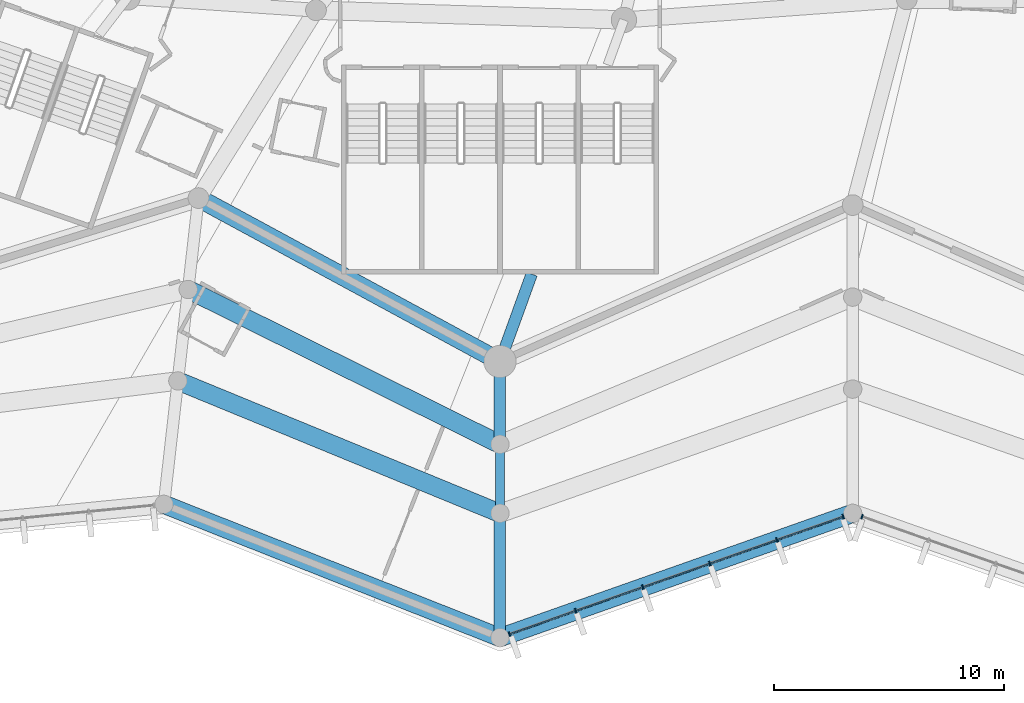
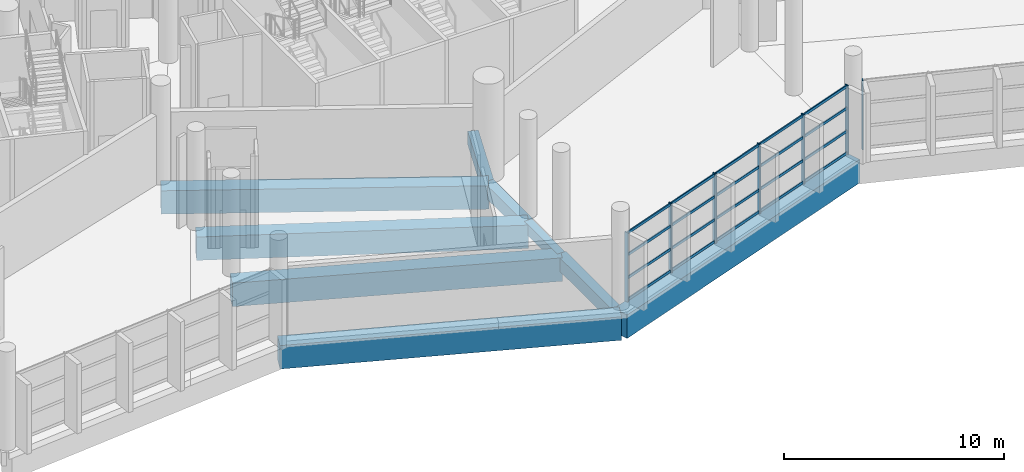
# One storey, part 18 of 271: 27 members, 9 beams, 2 elements without a shape of their own.
"""IFC4 building model written with IfcOpenShell, lengths in metres."""

from ifc_helpers import new_model, si_unit, direction, frame, origin, origin_2d, place, context, subcontext, project, spatial, rectangle, extrude, material, layer, layer_set, material_profile, profile_set, type_object, element, aggregate, save


model = new_model("IFC4")

# Units and contexts
model_context = context("Model", 3, precision=1e-05, world=origin(), true_north=direction((0.0, 1.0)))
body_context = subcontext(model_context, "Body", "Model", "MODEL_VIEW")
ifc_project = project(units=[si_unit("LENGTHUNIT", "METRE"), si_unit("AREAUNIT", "SQUARE_METRE"), si_unit("VOLUMEUNIT", "CUBIC_METRE"), si_unit("PLANEANGLEUNIT", "RADIAN"), si_unit("MASSUNIT", "GRAM", prefix="KILO")], contexts=[model_context])

# Site, building, storey
site_placement = place(None, origin())
site = spatial("IfcSite", under=ifc_project, at=site_placement, CompositionType="ELEMENT")
building_placement = place(site_placement, origin())
building = spatial("IfcBuilding", under=site, at=building_placement, Name="Meseta Stadium", CompositionType="ELEMENT")
storey_placement = place(building_placement, frame((0.0, 0.0, 6.5)))
storey = spatial("IfcBuildingStorey", under=building, at=storey_placement, Name="L01", CompositionType="ELEMENT", Elevation=6.5)

# Beams
ifc_material_1 = material(Name="Concrete C40/50", Category="concrete")
ifc_material_profile_1 = material_profile(ifc_material_1, rectangle(XDim=0.39990234375, YDim=0.60009765625, at=origin_2d()), Name="RC 400x600")
ifc_profile_set_1 = profile_set([ifc_material_profile_1], Name="Concrete C40/50")
beam_type_1 = type_object("IfcBeamType", Name="RC beam 400x600", PredefinedType="BEAM", material=ifc_profile_set_1)
beam_1_placement = place(storey_placement, frame((-38.333251953125, -109.0, -0.64990234375), z_axis=(0.0, -1.0, 0.0), x_axis=(1.0, 0.0, 0.0)))
element("IfcBeam", 1, at=beam_1_placement, inside=storey, type_object=beam_type_1, Name="L01 radial beam frame 44 line M to Q", PredefinedType="BEAM", context=body_context, shape_type="SweptSolid", body=[
    extrude(rectangle(XDim=0.39990234375, YDim=0.60009765625, at=origin_2d()), origin(), (0.0, 0.0, 1.0), 3.0),
])
ifc_material_2 = material(Name="Concrete C40/50", Category="concrete")
ifc_material_profile_2 = material_profile(ifc_material_2, rectangle(XDim=0.5, YDim=0.75, at=origin_2d()), Name="RC 500x750")
ifc_profile_set_2 = profile_set([ifc_material_profile_2], Name="Concrete C40/50")
beam_type_2 = type_object("IfcBeamType", Name="RC beam 500x750", PredefinedType="BEAM", material=ifc_profile_set_2)
beam_2_placement = place(storey_placement, frame((-36.9541015625, -101.60009765625, -0.72509765625), z_axis=(-0.341175633366, -0.939999567658, 0.0), x_axis=(0.939999567658, -0.341175633366, 0.0)))
element("IfcBeam", 2, at=beam_2_placement, inside=storey, type_object=beam_type_2, Name="L01 radial beam frame 44 line P to R", PredefinedType="BEAM", context=body_context, shape_type="SweptSolid", body=[
    extrude(rectangle(XDim=0.5, YDim=0.75, at=origin_2d()), origin(), (0.0, 0.0, 1.0), 4.042236328125),
])
beam_3_placement = place(storey_placement, frame((-38.333251953125, -105.39990234375, -0.72509765625), z_axis=(0.0, -1.0, 0.0), x_axis=(1.0, 0.0, 0.0)))
element("IfcBeam", 3, at=beam_3_placement, inside=storey, type_object=beam_type_2, Name="L01 radial beam frame 44 line R to M", PredefinedType="BEAM", context=body_context, shape_type="SweptSolid", body=[
    extrude(rectangle(XDim=0.5, YDim=0.75, at=origin_2d()), origin(), (0.0, 0.0, 1.0), 3.60009765625),
])
beam_4_placement = place(storey_placement, frame((-38.333251953125, -112.0, -0.72509765625), z_axis=(0.0, -1.0, 0.0), x_axis=(1.0, 0.0, 0.0)))
element("IfcBeam", 4, at=beam_4_placement, inside=storey, type_object=beam_type_2, Name="L01 radial beam frame 44 line Q to O", PredefinedType="BEAM", context=body_context, shape_type="SweptSolid", body=[
    extrude(rectangle(XDim=0.5, YDim=0.75, at=origin_2d()), origin(), (0.0, 0.0, 1.0), 5.39990234375),
])
ifc_material_3 = material(Name="Concrete C40/50", Category="concrete")
ifc_material_profile_3 = material_profile(ifc_material_3, rectangle(XDim=0.800048828125, YDim=1.300048828125, at=origin_2d()), Name="RC 800x1300")
ifc_profile_set_3 = profile_set([ifc_material_profile_3], Name="Concrete C40/50")
beam_type_3 = type_object("IfcBeamType", Name="RC beam 800x1300", PredefinedType="BEAM", material=ifc_profile_set_3)
beam_5_placement = place(storey_placement, frame((-51.44140625, -98.29443359375, -1.0), z_axis=(0.879145348638, -0.476553728311, 0.0), x_axis=(0.476553728311, 0.879145348638, 0.0)))
element("IfcBeam", 5, at=beam_5_placement, inside=storey, type_object=beam_type_3, Name="L01 ring beam frame 43 line R", PredefinedType="BEAM", context=body_context, shape_type="SweptSolid", body=[
    extrude(rectangle(XDim=0.800048828125, YDim=1.300048828125, at=origin_2d()), origin(), (0.0, 0.0, 1.0), 14.91015625),
])
beam_6_placement = place(storey_placement, frame((-51.889404296875, -102.269287109375, -1.0), z_axis=(0.895675432746, -0.444708352941, 0.0), x_axis=(0.444708352941, 0.895675432746, 0.0)))
element("IfcBeam", 6, at=beam_6_placement, inside=storey, type_object=beam_type_3, Name="L01 ring beam frame 43 line M", PredefinedType="BEAM", context=body_context, shape_type="SweptSolid", body=[
    extrude(rectangle(XDim=0.800048828125, YDim=1.300048828125, at=origin_2d()), origin(), (0.0, 0.0, 1.0), 15.135009765625),
])
beam_7_placement = place(storey_placement, frame((-52.337158203125, -106.244140625, -1.0), z_axis=(0.924921023006, -0.380159310293, 0.0), x_axis=(0.380159310293, 0.924921023006, 0.0)))
element("IfcBeam", 7, at=beam_7_placement, inside=storey, type_object=beam_type_3, Name="L01 ring beam frame 43 line Q", PredefinedType="BEAM", context=body_context, shape_type="SweptSolid", body=[
    extrude(rectangle(XDim=0.800048828125, YDim=1.300048828125, at=origin_2d()), origin(), (0.0, 0.0, 1.0), 15.140625),
])
beam_8_placement = place(storey_placement, frame((-52.94189453125, -111.610107421875, -1.0), z_axis=(0.929649573326, -0.368444935933, 0.0), x_axis=(0.368444935933, 0.929649573326, 0.0)))
element("IfcBeam", 8, at=beam_8_placement, inside=storey, type_object=beam_type_3, Name="L01 ring beam frame 43 line O", PredefinedType="BEAM", context=body_context, shape_type="SweptSolid", body=[
    extrude(rectangle(XDim=0.800048828125, YDim=1.300048828125, at=origin_2d()), origin(), (0.0, 0.0, 1.0), 15.714111328125),
])
beam_9_placement = place(storey_placement, frame((-38.333251953125, -117.39990234375, -1.0), z_axis=(0.943218573019, 0.332172731439, 0.0), x_axis=(-0.332172731439, 0.943218573019, 0.0)))
element("IfcBeam", 9, at=beam_9_placement, inside=storey, type_object=beam_type_3, Name="L01 ring beam frame 44 line O", PredefinedType="BEAM", context=body_context, shape_type="SweptSolid", body=[
    extrude(rectangle(XDim=0.800048828125, YDim=1.300048828125, at=origin_2d()), origin(), (0.0, 0.0, 1.0), 16.25634765625),
])

# Curtain wall, members
ifc_material_4 = material(Name="Aluminium", Category="aluminium")
ifc_layer = layer(ifc_material_4, 0.199951171875)
ifc_layer_set = layer_set([ifc_layer], Name="Ring shopfront curtain wall")
curtain_wall_type = type_object("IfcCurtainWallType", Name="Ring shopfront curtain wall", PredefinedType="NOTDEFINED", material=ifc_layer_set)
curtain_wall_1_placement = place(storey_placement, origin())
curtain_wall_1 = element("IfcCurtainWall", 10, at=curtain_wall_1_placement, inside=storey, type_object=curtain_wall_type, Name="Ring glazing L01 F44", PredefinedType="NOTDEFINED")
ifc_material_5 = material(Name="Aluminium", Category="aluminium")
ifc_material_profile_4 = material_profile(ifc_material_5, rectangle(XDim=0.199951171875, YDim=0.06005859375, at=origin_2d()), Name="CW 200x60")
ifc_profile_set_4 = profile_set([ifc_material_profile_4], Name="Aluminium")
member_type_1 = type_object("IfcMemberType", Name="Ring CW mullion 60x200", PredefinedType="MULLION", material=ifc_profile_set_4)
member_1_placement = place(storey_placement, frame((-37.927734375, -117.257080078125, 0.0), z_axis=(0.0, 0.0, 1.0), x_axis=(-0.332174330154, 0.943218009999, 0.0)))
member_1 = element("IfcMember", 11, at=member_1_placement, type_object=member_type_1, Name="CWR1 mullion 1", PredefinedType="MULLION", context=body_context, shape_type="SweptSolid", body=[
    extrude(rectangle(XDim=0.199951171875, YDim=0.06005859375, at=origin_2d()), origin(), (0.0, 0.0, 1.0), 3.85009765625),
])
member_2_placement = place(storey_placement, frame((-35.040283203125, -116.240234375, 0.0), z_axis=(0.0, 0.0, 1.0), x_axis=(-0.332174330154, 0.943218009999, 0.0)))
member_2 = element("IfcMember", 12, at=member_2_placement, type_object=member_type_1, Name="CWR1 mullion 2", PredefinedType="MULLION", context=body_context, shape_type="SweptSolid", body=[
    extrude(rectangle(XDim=0.199951171875, YDim=0.06005859375, at=origin_2d()), origin(), (0.0, 0.0, 1.0), 3.85009765625),
])
member_3_placement = place(storey_placement, frame((-32.12451171875, -115.21337890625, 0.0), z_axis=(0.0, 0.0, 1.0), x_axis=(-0.332174330154, 0.943218009999, 0.0)))
member_3 = element("IfcMember", 13, at=member_3_placement, type_object=member_type_1, Name="CWR1 mullion 3", PredefinedType="MULLION", context=body_context, shape_type="SweptSolid", body=[
    extrude(rectangle(XDim=0.199951171875, YDim=0.06005859375, at=origin_2d()), origin(), (0.0, 0.0, 1.0), 3.85009765625),
])
member_4_placement = place(storey_placement, frame((-29.208740234375, -114.1865234375, 0.0), z_axis=(0.0, 0.0, 1.0), x_axis=(-0.332174330154, 0.943218009999, 0.0)))
member_4 = element("IfcMember", 14, at=member_4_placement, type_object=member_type_1, Name="CWR1 mullion 4", PredefinedType="MULLION", context=body_context, shape_type="SweptSolid", body=[
    extrude(rectangle(XDim=0.199951171875, YDim=0.06005859375, at=origin_2d()), origin(), (0.0, 0.0, 1.0), 3.85009765625),
])
member_5_placement = place(storey_placement, frame((-26.29296875, -113.15966796875, 0.0), z_axis=(0.0, 0.0, 1.0), x_axis=(-0.332174330154, 0.943218009999, 0.0)))
member_5 = element("IfcMember", 15, at=member_5_placement, type_object=member_type_1, Name="CWR1 mullion 5", PredefinedType="MULLION", context=body_context, shape_type="SweptSolid", body=[
    extrude(rectangle(XDim=0.199951171875, YDim=0.06005859375, at=origin_2d()), origin(), (0.0, 0.0, 1.0), 3.85009765625),
])
member_6_placement = place(storey_placement, frame((-23.405517578125, -112.142822265625, 0.0), z_axis=(0.0, 0.0, 1.0), x_axis=(-0.332174330154, 0.943218009999, 0.0)))
member_6 = element("IfcMember", 16, at=member_6_placement, type_object=member_type_1, Name="CWR1 mullion 6", PredefinedType="MULLION", context=body_context, shape_type="SweptSolid", body=[
    extrude(rectangle(XDim=0.199951171875, YDim=0.06005859375, at=origin_2d()), origin(), (0.0, 0.0, 1.0), 3.85009765625),
])

# Curtain wall, member
curtain_wall_2_placement = place(storey_placement, origin())
curtain_wall_2 = element("IfcCurtainWall", 17, at=curtain_wall_2_placement, inside=storey, type_object=curtain_wall_type, Name="Ring glazing L01 F45", PredefinedType="NOTDEFINED")
member_7_placement = place(storey_placement, frame((-22.594482421875, -112.142822265625, 0.0), z_axis=(0.0, 0.0, 1.0), x_axis=(0.332174330154, 0.943218009999, 0.0)))
member_7 = element("IfcMember", 18, at=member_7_placement, type_object=member_type_1, Name="CWR1 mullion 1", PredefinedType="MULLION", context=body_context, shape_type="SweptSolid", body=[
    extrude(rectangle(XDim=0.199951171875, YDim=0.06005859375, at=origin_2d()), origin(), (0.0, 0.0, 1.0), 3.85009765625),
])
aggregate(curtain_wall_2, [member_7])

# Member
ifc_material_6 = material(Name="Aluminium", Category="aluminium")
ifc_material_profile_5 = material_profile(ifc_material_6, rectangle(XDim=0.06005859375, YDim=0.14990234375, at=origin_2d()), Name="CW 60x150")
ifc_profile_set_5 = profile_set([ifc_material_profile_5], Name="Aluminium")
member_type_2 = type_object("IfcMemberType", Name="Ring CW transom 60x150", PredefinedType="USERDEFINED", material=ifc_profile_set_5)
member_8_placement = place(storey_placement, frame((-37.8994140625, -117.2470703125, 0.074951171875), z_axis=(0.943228878245, 0.332143467863, 0.0), x_axis=(-0.332143467863, 0.943228878245, 0.0)))
member_8 = element("IfcMember", 19, at=member_8_placement, type_object=member_type_2, Name="CWR1 transom 1.1", ObjectType="TRANSOM", PredefinedType="USERDEFINED", context=body_context, shape_type="SweptSolid", body=[
    extrude(rectangle(XDim=0.06005859375, YDim=0.14990234375, at=origin_2d()), origin(), (0.0, 0.0, 1.0), 3.001220703125),
])

member_9_placement = place(storey_placement, frame((-37.8994140625, -117.2470703125, 1.283447265625), z_axis=(0.943228878245, 0.332143467863, 0.0), x_axis=(-0.332143467863, 0.943228878245, 0.0)))
member_9 = element("IfcMember", 20, at=member_9_placement, type_object=member_type_2, Name="CWR1 transom 1.2", ObjectType="TRANSOM", PredefinedType="USERDEFINED", context=body_context, shape_type="SweptSolid", body=[
    extrude(rectangle(XDim=0.06005859375, YDim=0.14990234375, at=origin_2d()), origin(), (0.0, 0.0, 1.0), 3.001220703125),
])

member_10_placement = place(storey_placement, frame((-37.8994140625, -117.2470703125, 2.566650390625), z_axis=(0.943228878245, 0.332143467863, 0.0), x_axis=(-0.332143467863, 0.943228878245, 0.0)))
member_10 = element("IfcMember", 21, at=member_10_placement, type_object=member_type_2, Name="CWR1 transom 1.3", ObjectType="TRANSOM", PredefinedType="USERDEFINED", context=body_context, shape_type="SweptSolid", body=[
    extrude(rectangle(XDim=0.06005859375, YDim=0.14990234375, at=origin_2d()), origin(), (0.0, 0.0, 1.0), 3.001220703125),
])

member_11_placement = place(storey_placement, frame((-37.8994140625, -117.2470703125, 3.77490234375), z_axis=(0.943228878245, 0.332143467863, 0.0), x_axis=(-0.332143467863, 0.943228878245, 0.0)))
member_11 = element("IfcMember", 22, at=member_11_placement, type_object=member_type_2, Name="CWR1 transom 1.4", ObjectType="TRANSOM", PredefinedType="USERDEFINED", context=body_context, shape_type="SweptSolid", body=[
    extrude(rectangle(XDim=0.06005859375, YDim=0.14990234375, at=origin_2d()), origin(), (0.0, 0.0, 1.0), 3.001220703125),
])

member_12_placement = place(storey_placement, frame((-35.011962890625, -116.230224609375, 0.074951171875), z_axis=(0.943225032885, 0.332154387808, 0.0), x_axis=(-0.332154387808, 0.943225032885, 0.0)))
member_12 = element("IfcMember", 23, at=member_12_placement, type_object=member_type_2, Name="CWR1 transom 2.1", ObjectType="TRANSOM", PredefinedType="USERDEFINED", context=body_context, shape_type="SweptSolid", body=[
    extrude(rectangle(XDim=0.06005859375, YDim=0.14990234375, at=origin_2d()), origin(), (0.0, 0.0, 1.0), 3.03125),
])

member_13_placement = place(storey_placement, frame((-35.011962890625, -116.230224609375, 1.283447265625), z_axis=(0.943225032885, 0.332154387808, 0.0), x_axis=(-0.332154387808, 0.943225032885, 0.0)))
member_13 = element("IfcMember", 24, at=member_13_placement, type_object=member_type_2, Name="CWR1 transom 2.2", ObjectType="TRANSOM", PredefinedType="USERDEFINED", context=body_context, shape_type="SweptSolid", body=[
    extrude(rectangle(XDim=0.06005859375, YDim=0.14990234375, at=origin_2d()), origin(), (0.0, 0.0, 1.0), 3.03125),
])

member_14_placement = place(storey_placement, frame((-35.011962890625, -116.230224609375, 2.566650390625), z_axis=(0.943225032885, 0.332154387808, 0.0), x_axis=(-0.332154387808, 0.943225032885, 0.0)))
member_14 = element("IfcMember", 25, at=member_14_placement, type_object=member_type_2, Name="CWR1 transom 2.3", ObjectType="TRANSOM", PredefinedType="USERDEFINED", context=body_context, shape_type="SweptSolid", body=[
    extrude(rectangle(XDim=0.06005859375, YDim=0.14990234375, at=origin_2d()), origin(), (0.0, 0.0, 1.0), 3.03125),
])

member_15_placement = place(storey_placement, frame((-35.011962890625, -116.230224609375, 3.77490234375), z_axis=(0.943225032885, 0.332154387808, 0.0), x_axis=(-0.332154387808, 0.943225032885, 0.0)))
member_15 = element("IfcMember", 26, at=member_15_placement, type_object=member_type_2, Name="CWR1 transom 2.4", ObjectType="TRANSOM", PredefinedType="USERDEFINED", context=body_context, shape_type="SweptSolid", body=[
    extrude(rectangle(XDim=0.06005859375, YDim=0.14990234375, at=origin_2d()), origin(), (0.0, 0.0, 1.0), 3.03125),
])

member_16_placement = place(storey_placement, frame((-32.09619140625, -115.203369140625, 0.074951171875), z_axis=(0.943225032885, 0.332154387808, 0.0), x_axis=(-0.332154387808, 0.943225032885, 0.0)))
member_16 = element("IfcMember", 27, at=member_16_placement, type_object=member_type_2, Name="CWR1 transom 3.1", ObjectType="TRANSOM", PredefinedType="USERDEFINED", context=body_context, shape_type="SweptSolid", body=[
    extrude(rectangle(XDim=0.06005859375, YDim=0.14990234375, at=origin_2d()), origin(), (0.0, 0.0, 1.0), 3.03125),
])

member_17_placement = place(storey_placement, frame((-32.09619140625, -115.203369140625, 1.283447265625), z_axis=(0.943225032885, 0.332154387808, 0.0), x_axis=(-0.332154387808, 0.943225032885, 0.0)))
member_17 = element("IfcMember", 28, at=member_17_placement, type_object=member_type_2, Name="CWR1 transom 3.2", ObjectType="TRANSOM", PredefinedType="USERDEFINED", context=body_context, shape_type="SweptSolid", body=[
    extrude(rectangle(XDim=0.06005859375, YDim=0.14990234375, at=origin_2d()), origin(), (0.0, 0.0, 1.0), 3.03125),
])

member_18_placement = place(storey_placement, frame((-32.09619140625, -115.203369140625, 2.566650390625), z_axis=(0.943225032885, 0.332154387808, 0.0), x_axis=(-0.332154387808, 0.943225032885, 0.0)))
member_18 = element("IfcMember", 29, at=member_18_placement, type_object=member_type_2, Name="CWR1 transom 3.3", ObjectType="TRANSOM", PredefinedType="USERDEFINED", context=body_context, shape_type="SweptSolid", body=[
    extrude(rectangle(XDim=0.06005859375, YDim=0.14990234375, at=origin_2d()), origin(), (0.0, 0.0, 1.0), 3.03125),
])

member_19_placement = place(storey_placement, frame((-32.09619140625, -115.203369140625, 3.77490234375), z_axis=(0.943225032885, 0.332154387808, 0.0), x_axis=(-0.332154387808, 0.943225032885, 0.0)))
member_19 = element("IfcMember", 30, at=member_19_placement, type_object=member_type_2, Name="CWR1 transom 3.4", ObjectType="TRANSOM", PredefinedType="USERDEFINED", context=body_context, shape_type="SweptSolid", body=[
    extrude(rectangle(XDim=0.06005859375, YDim=0.14990234375, at=origin_2d()), origin(), (0.0, 0.0, 1.0), 3.03125),
])

member_20_placement = place(storey_placement, frame((-29.180419921875, -114.176513671875, 0.074951171875), z_axis=(0.943225032885, 0.332154387808, 0.0), x_axis=(-0.332154387808, 0.943225032885, 0.0)))
member_20 = element("IfcMember", 31, at=member_20_placement, type_object=member_type_2, Name="CWR1 transom 4.1", ObjectType="TRANSOM", PredefinedType="USERDEFINED", context=body_context, shape_type="SweptSolid", body=[
    extrude(rectangle(XDim=0.06005859375, YDim=0.14990234375, at=origin_2d()), origin(), (0.0, 0.0, 1.0), 3.03125),
])

member_21_placement = place(storey_placement, frame((-29.180419921875, -114.176513671875, 1.283447265625), z_axis=(0.943225032885, 0.332154387808, 0.0), x_axis=(-0.332154387808, 0.943225032885, 0.0)))
member_21 = element("IfcMember", 32, at=member_21_placement, type_object=member_type_2, Name="CWR1 transom 4.2", ObjectType="TRANSOM", PredefinedType="USERDEFINED", context=body_context, shape_type="SweptSolid", body=[
    extrude(rectangle(XDim=0.06005859375, YDim=0.14990234375, at=origin_2d()), origin(), (0.0, 0.0, 1.0), 3.03125),
])

member_22_placement = place(storey_placement, frame((-29.180419921875, -114.176513671875, 2.566650390625), z_axis=(0.943225032885, 0.332154387808, 0.0), x_axis=(-0.332154387808, 0.943225032885, 0.0)))
member_22 = element("IfcMember", 33, at=member_22_placement, type_object=member_type_2, Name="CWR1 transom 4.3", ObjectType="TRANSOM", PredefinedType="USERDEFINED", context=body_context, shape_type="SweptSolid", body=[
    extrude(rectangle(XDim=0.06005859375, YDim=0.14990234375, at=origin_2d()), origin(), (0.0, 0.0, 1.0), 3.03125),
])

member_23_placement = place(storey_placement, frame((-29.180419921875, -114.176513671875, 3.77490234375), z_axis=(0.943225032885, 0.332154387808, 0.0), x_axis=(-0.332154387808, 0.943225032885, 0.0)))
member_23 = element("IfcMember", 34, at=member_23_placement, type_object=member_type_2, Name="CWR1 transom 4.4", ObjectType="TRANSOM", PredefinedType="USERDEFINED", context=body_context, shape_type="SweptSolid", body=[
    extrude(rectangle(XDim=0.06005859375, YDim=0.14990234375, at=origin_2d()), origin(), (0.0, 0.0, 1.0), 3.03125),
])

member_24_placement = place(storey_placement, frame((-26.2646484375, -113.149658203125, 0.074951171875), z_axis=(0.943228878245, 0.332143467863, 0.0), x_axis=(-0.332143467863, 0.943228878245, 0.0)))
member_24 = element("IfcMember", 35, at=member_24_placement, type_object=member_type_2, Name="CWR1 transom 5.1", ObjectType="TRANSOM", PredefinedType="USERDEFINED", context=body_context, shape_type="SweptSolid", body=[
    extrude(rectangle(XDim=0.06005859375, YDim=0.14990234375, at=origin_2d()), origin(), (0.0, 0.0, 1.0), 3.001220703125),
])

member_25_placement = place(storey_placement, frame((-26.2646484375, -113.149658203125, 1.283447265625), z_axis=(0.943228878245, 0.332143467863, 0.0), x_axis=(-0.332143467863, 0.943228878245, 0.0)))
member_25 = element("IfcMember", 36, at=member_25_placement, type_object=member_type_2, Name="CWR1 transom 5.2", ObjectType="TRANSOM", PredefinedType="USERDEFINED", context=body_context, shape_type="SweptSolid", body=[
    extrude(rectangle(XDim=0.06005859375, YDim=0.14990234375, at=origin_2d()), origin(), (0.0, 0.0, 1.0), 3.001220703125),
])

member_26_placement = place(storey_placement, frame((-26.2646484375, -113.149658203125, 2.566650390625), z_axis=(0.943228878245, 0.332143467863, 0.0), x_axis=(-0.332143467863, 0.943228878245, 0.0)))
member_26 = element("IfcMember", 37, at=member_26_placement, type_object=member_type_2, Name="CWR1 transom 5.3", ObjectType="TRANSOM", PredefinedType="USERDEFINED", context=body_context, shape_type="SweptSolid", body=[
    extrude(rectangle(XDim=0.06005859375, YDim=0.14990234375, at=origin_2d()), origin(), (0.0, 0.0, 1.0), 3.001220703125),
])

member_27_placement = place(storey_placement, frame((-26.2646484375, -113.149658203125, 3.77490234375), z_axis=(0.943228878245, 0.332143467863, 0.0), x_axis=(-0.332143467863, 0.943228878245, 0.0)))
member_27 = element("IfcMember", 38, at=member_27_placement, type_object=member_type_2, Name="CWR1 transom 5.4", ObjectType="TRANSOM", PredefinedType="USERDEFINED", context=body_context, shape_type="SweptSolid", body=[
    extrude(rectangle(XDim=0.06005859375, YDim=0.14990234375, at=origin_2d()), origin(), (0.0, 0.0, 1.0), 3.001220703125),
])

aggregate(curtain_wall_1, [member_1, member_2, member_3, member_4, member_5, member_6, member_8, member_9, member_10, member_11, member_12, member_13, member_14, member_15, member_16, member_17, member_18, member_19, member_20, member_21, member_22, member_23, member_24, member_25, member_26, member_27])

save(model, "model.ifc")
